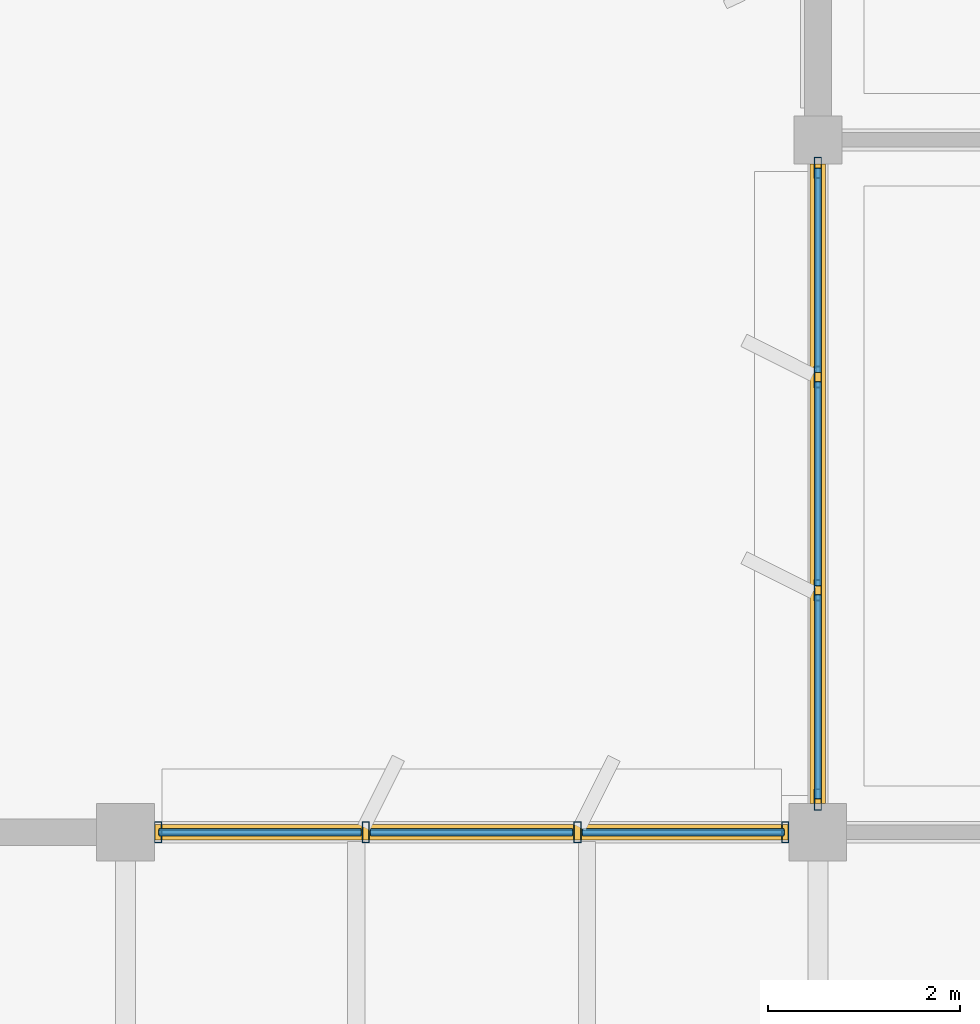
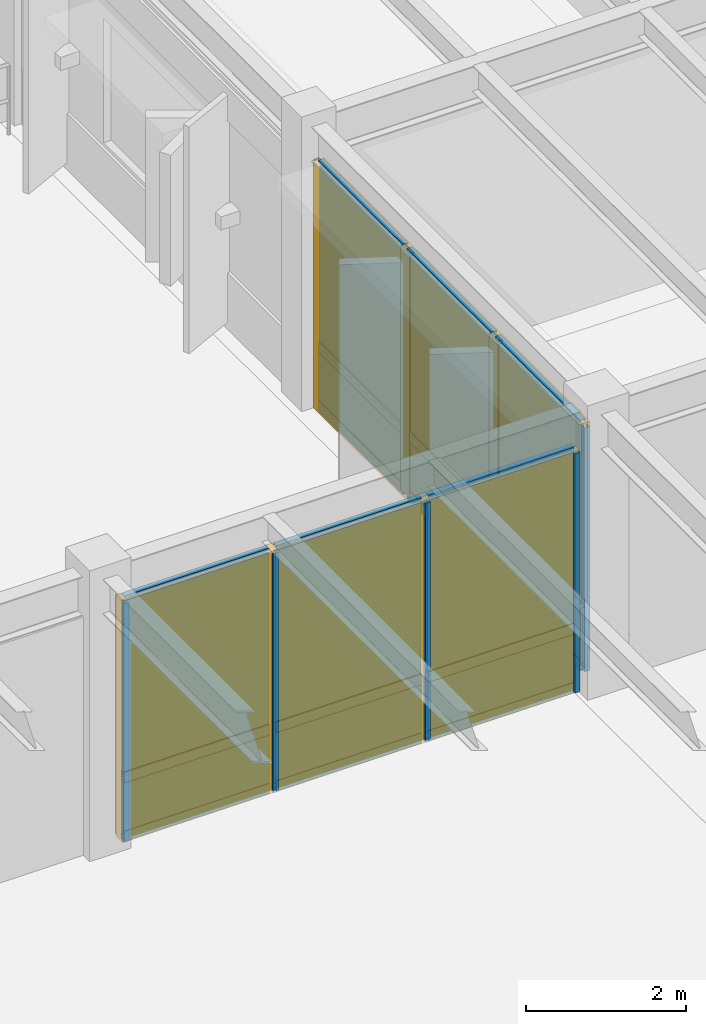
# One storey, part 56 of 92: 26 members, 12 plates, 2 curtain walls.
"""IFC4 building model written with IfcOpenShell, lengths in metres."""

from ifc_helpers import new_model, si_unit, direction, frame, origin, origin_2d, place, context, subcontext, project, spatial, rectangle, hollow_rectangle, extrude, material, layer, layer_set, material_profile, profile_set, type_object, element, aggregate, save


model = new_model("IFC4")

# Units and contexts
model_context = context("Model", 3, precision=1e-05, world=origin(), true_north=direction((0.0, 1.0)))
body_context = subcontext(model_context, "Body", "Model", "MODEL_VIEW")
ifc_project = project(units=[si_unit("LENGTHUNIT", "METRE"), si_unit("AREAUNIT", "SQUARE_METRE"), si_unit("VOLUMEUNIT", "CUBIC_METRE"), si_unit("PLANEANGLEUNIT", "RADIAN"), si_unit("MASSUNIT", "GRAM", prefix="KILO")], contexts=[model_context])

# Member
ifc_material_1 = material(Name="Anodized Aluminium 6063-T6", Category="aluminium")
ifc_material_profile_1 = material_profile(ifc_material_1, hollow_rectangle(XDim=0.074951171875, YDim=0.219970703125, WallThickness=0.0048828125, at=origin_2d()), Name="ALU 75x220x5")
ifc_profile_set_1 = profile_set([ifc_material_profile_1], Name="Anodized Aluminium 6063-T6")
member_type_1 = type_object("IfcMemberType", Name="CWM-75X180", PredefinedType="MULLION", material=ifc_profile_set_1)
site_placement = place(None, origin())
building_placement = place(site_placement, origin())
storey_placement = place(building_placement, frame((0.0, 0.0, 5.39990234375)))
member_1_placement = place(storey_placement, frame((29.139892578125, 93.60009765625, 0.02001953125), z_axis=(0.0, 0.0, 1.0), x_axis=(1.0, 0.0, 0.0)))
member_1 = element("IfcMember", 1, at=member_1_placement, type_object=member_type_1, Name="Curtain wall mullion CW-L02-04-12-N-00", PredefinedType="MULLION", context=body_context, shape_type="SweptSolid", body=[
    extrude(hollow_rectangle(XDim=0.074951171875, YDim=0.219970703125, WallThickness=0.0048828125, at=origin_2d()), origin(), (0.0, 0.0, 1.0), 3.657958984375),
])

member_2_placement = place(storey_placement, frame((31.300048828125, 93.60009765625, 0.02001953125), z_axis=(0.0, 0.0, 1.0), x_axis=(1.0, 0.0, 0.0)))
member_2 = element("IfcMember", 2, at=member_2_placement, type_object=member_type_1, Name="Curtain wall mullion CW-L02-04-12-N-01", PredefinedType="MULLION", context=body_context, shape_type="SweptSolid", body=[
    extrude(hollow_rectangle(XDim=0.074951171875, YDim=0.219970703125, WallThickness=0.0048828125, at=origin_2d()), origin(), (0.0, 0.0, 1.0), 3.657958984375),
])

member_3_placement = place(storey_placement, frame((33.5, 93.60009765625, 0.02001953125), z_axis=(0.0, 0.0, 1.0), x_axis=(1.0, 0.0, 0.0)))
member_3 = element("IfcMember", 3, at=member_3_placement, type_object=member_type_1, Name="Curtain wall mullion CW-L02-04-12-N-02", PredefinedType="MULLION", context=body_context, shape_type="SweptSolid", body=[
    extrude(hollow_rectangle(XDim=0.074951171875, YDim=0.219970703125, WallThickness=0.0048828125, at=origin_2d()), origin(), (0.0, 0.0, 1.0), 3.657958984375),
])

member_4_placement = place(storey_placement, frame((35.659912109375, 93.60009765625, 0.02001953125), z_axis=(0.0, 0.0, 1.0), x_axis=(1.0, 0.0, 0.0)))
member_4 = element("IfcMember", 4, at=member_4_placement, type_object=member_type_1, Name="Curtain wall mullion CW-L02-04-12-N-03", PredefinedType="MULLION", context=body_context, shape_type="SweptSolid", body=[
    extrude(hollow_rectangle(XDim=0.074951171875, YDim=0.219970703125, WallThickness=0.0048828125, at=origin_2d()), origin(), (0.0, 0.0, 1.0), 3.657958984375),
])

member_5_placement = place(storey_placement, frame((36.0, 93.93994140625, 0.02001953125), z_axis=(0.0, 0.0, 1.0), x_axis=(1.0, 0.0, 0.0)))
member_5 = element("IfcMember", 5, at=member_5_placement, type_object=member_type_1, Name="Curtain wall mullion CW-L02-05-13-W-00", PredefinedType="MULLION", context=body_context, shape_type="SweptSolid", body=[
    extrude(hollow_rectangle(XDim=0.074951171875, YDim=0.219970703125, WallThickness=0.0048828125, at=origin_2d()), origin(), (0.0, 0.0, 1.0), 3.72705078125),
])

member_6_placement = place(storey_placement, frame((36.0, 96.11669921875, 0.02001953125), z_axis=(0.0, 0.0, 1.0), x_axis=(1.0, 0.0, 0.0)))
member_6 = element("IfcMember", 6, at=member_6_placement, type_object=member_type_1, Name="Curtain wall mullion CW-L02-05-13-W-01", PredefinedType="MULLION", context=body_context, shape_type="SweptSolid", body=[
    extrude(hollow_rectangle(XDim=0.074951171875, YDim=0.219970703125, WallThickness=0.0048828125, at=origin_2d()), origin(), (0.0, 0.0, 1.0), 3.72705078125),
])

member_7_placement = place(storey_placement, frame((36.0, 98.333251953125, 0.02001953125), z_axis=(0.0, 0.0, 1.0), x_axis=(1.0, 0.0, 0.0)))
member_7 = element("IfcMember", 7, at=member_7_placement, type_object=member_type_1, Name="Curtain wall mullion CW-L02-05-13-W-02", PredefinedType="MULLION", context=body_context, shape_type="SweptSolid", body=[
    extrude(hollow_rectangle(XDim=0.074951171875, YDim=0.219970703125, WallThickness=0.0048828125, at=origin_2d()), origin(), (0.0, 0.0, 1.0), 3.72705078125),
])

member_8_placement = place(storey_placement, frame((36.0, 100.510009765625, 0.02001953125), z_axis=(0.0, 0.0, 1.0), x_axis=(1.0, 0.0, 0.0)))
member_8 = element("IfcMember", 8, at=member_8_placement, type_object=member_type_1, Name="Curtain wall mullion CW-L02-05-13-W-03", PredefinedType="MULLION", context=body_context, shape_type="SweptSolid", body=[
    extrude(hollow_rectangle(XDim=0.074951171875, YDim=0.219970703125, WallThickness=0.0048828125, at=origin_2d()), origin(), (0.0, 0.0, 1.0), 3.72705078125),
])

ifc_material_profile_2 = material_profile(ifc_material_1, hollow_rectangle(XDim=0.074951171875, YDim=0.159912109375, WallThickness=0.00390625, at=origin_2d()), Name="ALU 75x160x4")
ifc_profile_set_2 = profile_set([ifc_material_profile_2], Name="Anodized Aluminium 6063-T6")
member_type_2 = type_object("IfcMemberType", Name="CWT-75X150", PredefinedType="USERDEFINED", material=ifc_profile_set_2)
member_9_placement = place(storey_placement, frame((29.14990234375, 93.60009765625, 0.050048828125), z_axis=(1.0, 0.0, 0.0), x_axis=(0.0, 1.0, 0.0)))
member_9 = element("IfcMember", 9, at=member_9_placement, type_object=member_type_2, Name="Curtain wall transom CW-L02-04-12-N-1.01", ObjectType="TRANSOM", PredefinedType="USERDEFINED", context=body_context, shape_type="SweptSolid", body=[
    extrude(hollow_rectangle(XDim=0.074951171875, YDim=0.159912109375, WallThickness=0.00390625, at=origin_2d()), origin(), (0.0, 0.0, 1.0), 2.10009765625),
])

member_10_placement = place(storey_placement, frame((31.35009765625, 93.60009765625, 0.050048828125), z_axis=(1.0, 0.0, 0.0), x_axis=(0.0, 1.0, 0.0)))
member_10 = element("IfcMember", 10, at=member_10_placement, type_object=member_type_2, Name="Curtain wall transom CW-L02-04-12-N-1.02", ObjectType="TRANSOM", PredefinedType="USERDEFINED", context=body_context, shape_type="SweptSolid", body=[
    extrude(hollow_rectangle(XDim=0.074951171875, YDim=0.159912109375, WallThickness=0.00390625, at=origin_2d()), origin(), (0.0, 0.0, 1.0), 2.099853515625),
])

member_11_placement = place(storey_placement, frame((33.550048828125, 93.60009765625, 0.050048828125), z_axis=(1.0, 0.0, 0.0), x_axis=(0.0, 1.0, 0.0)))
member_11 = element("IfcMember", 11, at=member_11_placement, type_object=member_type_2, Name="Curtain wall transom CW-L02-04-12-N-1.03", ObjectType="TRANSOM", PredefinedType="USERDEFINED", context=body_context, shape_type="SweptSolid", body=[
    extrude(hollow_rectangle(XDim=0.074951171875, YDim=0.159912109375, WallThickness=0.00390625, at=origin_2d()), origin(), (0.0, 0.0, 1.0), 2.099853515625),
])

member_12_placement = place(storey_placement, frame((29.14990234375, 93.60009765625, 0.9501953125), z_axis=(1.0, 0.0, 0.0), x_axis=(0.0, 1.0, 0.0)))
member_12 = element("IfcMember", 12, at=member_12_placement, type_object=member_type_2, Name="Curtain wall transom CW-L02-04-12-N-2.01", ObjectType="TRANSOM", PredefinedType="USERDEFINED", context=body_context, shape_type="SweptSolid", body=[
    extrude(hollow_rectangle(XDim=0.074951171875, YDim=0.159912109375, WallThickness=0.00390625, at=origin_2d()), origin(), (0.0, 0.0, 1.0), 2.10009765625),
])

member_13_placement = place(storey_placement, frame((31.35009765625, 93.60009765625, 0.9501953125), z_axis=(1.0, 0.0, 0.0), x_axis=(0.0, 1.0, 0.0)))
member_13 = element("IfcMember", 13, at=member_13_placement, type_object=member_type_2, Name="Curtain wall transom CW-L02-04-12-N-2.02", ObjectType="TRANSOM", PredefinedType="USERDEFINED", context=body_context, shape_type="SweptSolid", body=[
    extrude(hollow_rectangle(XDim=0.074951171875, YDim=0.159912109375, WallThickness=0.00390625, at=origin_2d()), origin(), (0.0, 0.0, 1.0), 2.099853515625),
])

member_14_placement = place(storey_placement, frame((33.550048828125, 93.60009765625, 0.9501953125), z_axis=(1.0, 0.0, 0.0), x_axis=(0.0, 1.0, 0.0)))
member_14 = element("IfcMember", 14, at=member_14_placement, type_object=member_type_2, Name="Curtain wall transom CW-L02-04-12-N-2.03", ObjectType="TRANSOM", PredefinedType="USERDEFINED", context=body_context, shape_type="SweptSolid", body=[
    extrude(hollow_rectangle(XDim=0.074951171875, YDim=0.159912109375, WallThickness=0.00390625, at=origin_2d()), origin(), (0.0, 0.0, 1.0), 2.099853515625),
])

member_15_placement = place(storey_placement, frame((29.14990234375, 93.60009765625, 3.648193359375), z_axis=(1.0, 0.0, 0.0), x_axis=(0.0, 1.0, 0.0)))
member_15 = element("IfcMember", 15, at=member_15_placement, type_object=member_type_2, Name="Curtain wall transom CW-L02-04-12-N-3.01", ObjectType="TRANSOM", PredefinedType="USERDEFINED", context=body_context, shape_type="SweptSolid", body=[
    extrude(hollow_rectangle(XDim=0.074951171875, YDim=0.159912109375, WallThickness=0.00390625, at=origin_2d()), origin(), (0.0, 0.0, 1.0), 2.10009765625),
])

member_16_placement = place(storey_placement, frame((31.35009765625, 93.60009765625, 3.648193359375), z_axis=(1.0, 0.0, 0.0), x_axis=(0.0, 1.0, 0.0)))
member_16 = element("IfcMember", 16, at=member_16_placement, type_object=member_type_2, Name="Curtain wall transom CW-L02-04-12-N-3.02", ObjectType="TRANSOM", PredefinedType="USERDEFINED", context=body_context, shape_type="SweptSolid", body=[
    extrude(hollow_rectangle(XDim=0.074951171875, YDim=0.159912109375, WallThickness=0.00390625, at=origin_2d()), origin(), (0.0, 0.0, 1.0), 2.099853515625),
])

member_17_placement = place(storey_placement, frame((33.550048828125, 93.60009765625, 3.648193359375), z_axis=(1.0, 0.0, 0.0), x_axis=(0.0, 1.0, 0.0)))
member_17 = element("IfcMember", 17, at=member_17_placement, type_object=member_type_2, Name="Curtain wall transom CW-L02-04-12-N-3.03", ObjectType="TRANSOM", PredefinedType="USERDEFINED", context=body_context, shape_type="SweptSolid", body=[
    extrude(hollow_rectangle(XDim=0.074951171875, YDim=0.159912109375, WallThickness=0.00390625, at=origin_2d()), origin(), (0.0, 0.0, 1.0), 2.099853515625),
])

member_18_placement = place(storey_placement, frame((36.0, 93.949951171875, 0.050048828125), z_axis=(0.0, 1.0, 0.0), x_axis=(-1.0, 0.0, 0.0)))
member_18 = element("IfcMember", 18, at=member_18_placement, type_object=member_type_2, Name="Curtain wall transom CW-L02-05-13-W-1.01", ObjectType="TRANSOM", PredefinedType="USERDEFINED", context=body_context, shape_type="SweptSolid", body=[
    extrude(hollow_rectangle(XDim=0.074951171875, YDim=0.159912109375, WallThickness=0.00390625, at=origin_2d()), origin(), (0.0, 0.0, 1.0), 2.11669921875),
])

member_19_placement = place(storey_placement, frame((36.0, 96.166748046875, 0.050048828125), z_axis=(0.0, 1.0, 0.0), x_axis=(-1.0, 0.0, 0.0)))
member_19 = element("IfcMember", 19, at=member_19_placement, type_object=member_type_2, Name="Curtain wall transom CW-L02-05-13-W-1.02", ObjectType="TRANSOM", PredefinedType="USERDEFINED", context=body_context, shape_type="SweptSolid", body=[
    extrude(hollow_rectangle(XDim=0.074951171875, YDim=0.159912109375, WallThickness=0.00390625, at=origin_2d()), origin(), (0.0, 0.0, 1.0), 2.116455078125),
])

member_20_placement = place(storey_placement, frame((36.0, 98.38330078125, 0.050048828125), z_axis=(0.0, 1.0, 0.0), x_axis=(-1.0, 0.0, 0.0)))
member_20 = element("IfcMember", 20, at=member_20_placement, type_object=member_type_2, Name="Curtain wall transom CW-L02-05-13-W-1.03", ObjectType="TRANSOM", PredefinedType="USERDEFINED", context=body_context, shape_type="SweptSolid", body=[
    extrude(hollow_rectangle(XDim=0.074951171875, YDim=0.159912109375, WallThickness=0.00390625, at=origin_2d()), origin(), (0.0, 0.0, 1.0), 2.11669921875),
])

member_21_placement = place(storey_placement, frame((36.0, 93.949951171875, 0.9501953125), z_axis=(0.0, 1.0, 0.0), x_axis=(-1.0, 0.0, 0.0)))
member_21 = element("IfcMember", 21, at=member_21_placement, type_object=member_type_2, Name="Curtain wall transom CW-L02-05-13-W-2.01", ObjectType="TRANSOM", PredefinedType="USERDEFINED", context=body_context, shape_type="SweptSolid", body=[
    extrude(hollow_rectangle(XDim=0.074951171875, YDim=0.159912109375, WallThickness=0.00390625, at=origin_2d()), origin(), (0.0, 0.0, 1.0), 2.11669921875),
])

member_22_placement = place(storey_placement, frame((36.0, 96.166748046875, 0.9501953125), z_axis=(0.0, 1.0, 0.0), x_axis=(-1.0, 0.0, 0.0)))
member_22 = element("IfcMember", 22, at=member_22_placement, type_object=member_type_2, Name="Curtain wall transom CW-L02-05-13-W-2.02", ObjectType="TRANSOM", PredefinedType="USERDEFINED", context=body_context, shape_type="SweptSolid", body=[
    extrude(hollow_rectangle(XDim=0.074951171875, YDim=0.159912109375, WallThickness=0.00390625, at=origin_2d()), origin(), (0.0, 0.0, 1.0), 2.116455078125),
])

member_23_placement = place(storey_placement, frame((36.0, 98.38330078125, 0.9501953125), z_axis=(0.0, 1.0, 0.0), x_axis=(-1.0, 0.0, 0.0)))
member_23 = element("IfcMember", 23, at=member_23_placement, type_object=member_type_2, Name="Curtain wall transom CW-L02-05-13-W-2.03", ObjectType="TRANSOM", PredefinedType="USERDEFINED", context=body_context, shape_type="SweptSolid", body=[
    extrude(hollow_rectangle(XDim=0.074951171875, YDim=0.159912109375, WallThickness=0.00390625, at=origin_2d()), origin(), (0.0, 0.0, 1.0), 2.11669921875),
])

member_24_placement = place(storey_placement, frame((36.0, 93.949951171875, 3.717041015625), z_axis=(0.0, 1.0, 0.0), x_axis=(-1.0, 0.0, 0.0)))
member_24 = element("IfcMember", 24, at=member_24_placement, type_object=member_type_2, Name="Curtain wall transom CW-L02-05-13-W-3.01", ObjectType="TRANSOM", PredefinedType="USERDEFINED", context=body_context, shape_type="SweptSolid", body=[
    extrude(hollow_rectangle(XDim=0.074951171875, YDim=0.159912109375, WallThickness=0.00390625, at=origin_2d()), origin(), (0.0, 0.0, 1.0), 2.11669921875),
])

member_25_placement = place(storey_placement, frame((36.0, 96.166748046875, 3.717041015625), z_axis=(0.0, 1.0, 0.0), x_axis=(-1.0, 0.0, 0.0)))
member_25 = element("IfcMember", 25, at=member_25_placement, type_object=member_type_2, Name="Curtain wall transom CW-L02-05-13-W-3.02", ObjectType="TRANSOM", PredefinedType="USERDEFINED", context=body_context, shape_type="SweptSolid", body=[
    extrude(hollow_rectangle(XDim=0.074951171875, YDim=0.159912109375, WallThickness=0.00390625, at=origin_2d()), origin(), (0.0, 0.0, 1.0), 2.116455078125),
])

member_26_placement = place(storey_placement, frame((36.0, 98.38330078125, 3.717041015625), z_axis=(0.0, 1.0, 0.0), x_axis=(-1.0, 0.0, 0.0)))
member_26 = element("IfcMember", 26, at=member_26_placement, type_object=member_type_2, Name="Curtain wall transom CW-L02-05-13-W-3.03", ObjectType="TRANSOM", PredefinedType="USERDEFINED", context=body_context, shape_type="SweptSolid", body=[
    extrude(hollow_rectangle(XDim=0.074951171875, YDim=0.159912109375, WallThickness=0.00390625, at=origin_2d()), origin(), (0.0, 0.0, 1.0), 2.11669921875),
])

# Plate
ifc_material_2 = material(Name="Acoustic Laminated Low-E Glazing", Category="glass")
ifc_layer_1 = layer(ifc_material_2, 0.0439453125)
ifc_layer_set_1 = layer_set([ifc_layer_1], Name="Acoustic Laminated Low-E Glazing")
plate_type_1 = type_object("IfcPlateType", Name="CWP-IGU-44", PredefinedType="CURTAIN_PANEL", material=ifc_layer_set_1)
plate_1_placement = place(storey_placement, frame((30.199951171875, 93.60009765625, 0.990234375), z_axis=(0.0, 0.0, 1.0), x_axis=(1.0, 0.0, 0.0)))
plate_1 = element("IfcPlate", 27, at=plate_1_placement, type_object=plate_type_1, Name="Curtain wall vision glazing CW-L02-04-12-N-01", PredefinedType="CURTAIN_PANEL", context=body_context, shape_type="SweptSolid", body=[
    extrude(rectangle(XDim=2.110107421875, YDim=0.0400390625, at=origin_2d()), origin(), (0.0, 0.0, 1.0), 2.64794921875),
])

plate_2_placement = place(storey_placement, frame((32.39990234375, 93.60009765625, 0.990234375), z_axis=(0.0, 0.0, 1.0), x_axis=(1.0, 0.0, 0.0)))
plate_2 = element("IfcPlate", 28, at=plate_2_placement, type_object=plate_type_1, Name="Curtain wall vision glazing CW-L02-04-12-N-02", PredefinedType="CURTAIN_PANEL", context=body_context, shape_type="SweptSolid", body=[
    extrude(rectangle(XDim=2.110107421875, YDim=0.0400390625, at=origin_2d()), origin(), (0.0, 0.0, 1.0), 2.64794921875),
])

plate_3_placement = place(storey_placement, frame((34.60009765625, 93.60009765625, 0.990234375), z_axis=(0.0, 0.0, 1.0), x_axis=(1.0, 0.0, 0.0)))
plate_3 = element("IfcPlate", 29, at=plate_3_placement, type_object=plate_type_1, Name="Curtain wall vision glazing CW-L02-04-12-N-03", PredefinedType="CURTAIN_PANEL", context=body_context, shape_type="SweptSolid", body=[
    extrude(rectangle(XDim=2.110107421875, YDim=0.0400390625, at=origin_2d()), origin(), (0.0, 0.0, 1.0), 2.64794921875),
])

plate_4_placement = place(storey_placement, frame((36.0, 95.00830078125, 0.990234375), z_axis=(0.0, 0.0, 1.0), x_axis=(0.0, 1.0, 0.0)))
plate_4 = element("IfcPlate", 30, at=plate_4_placement, type_object=plate_type_1, Name="Curtain wall vision glazing CW-L02-05-13-W-01", PredefinedType="CURTAIN_PANEL", context=body_context, shape_type="SweptSolid", body=[
    extrude(rectangle(XDim=2.126708984375, YDim=0.0400390625, at=origin_2d()), origin(), (0.0, 0.0, 1.0), 2.717041015625),
])

plate_5_placement = place(storey_placement, frame((36.0, 97.22509765625, 0.990234375), z_axis=(0.0, 0.0, 1.0), x_axis=(0.0, 1.0, 0.0)))
plate_5 = element("IfcPlate", 31, at=plate_5_placement, type_object=plate_type_1, Name="Curtain wall vision glazing CW-L02-05-13-W-02", PredefinedType="CURTAIN_PANEL", context=body_context, shape_type="SweptSolid", body=[
    extrude(rectangle(XDim=2.126708984375, YDim=0.0400390625, at=origin_2d()), origin(), (0.0, 0.0, 1.0), 2.717041015625),
])

plate_6_placement = place(storey_placement, frame((36.0, 99.441650390625, 0.990234375), z_axis=(0.0, 0.0, 1.0), x_axis=(0.0, 1.0, 0.0)))
plate_6 = element("IfcPlate", 32, at=plate_6_placement, type_object=plate_type_1, Name="Curtain wall vision glazing CW-L02-05-13-W-03", PredefinedType="CURTAIN_PANEL", context=body_context, shape_type="SweptSolid", body=[
    extrude(rectangle(XDim=2.126708984375, YDim=0.0400390625, at=origin_2d()), origin(), (0.0, 0.0, 1.0), 2.717041015625),
])

ifc_material_3 = material(Name="Insulated Stone-Composite Spandrel", Category="masonry")
ifc_layer_2 = layer(ifc_material_3, 0.068115234375)
ifc_layer_set_2 = layer_set([ifc_layer_2], Name="Insulated Stone-Composite Spandrel")
plate_type_2 = type_object("IfcPlateType", Name="CWP-SPN-68", PredefinedType="CURTAIN_PANEL", material=ifc_layer_set_2)
plate_7_placement = place(storey_placement, frame((30.199951171875, 93.60009765625, 0.080078125), z_axis=(0.0, 0.0, 1.0), x_axis=(1.0, 0.0, 0.0)))
plate_7 = element("IfcPlate", 33, at=plate_7_placement, type_object=plate_type_2, Name="Curtain wall spandrel panel CW-L02-04-12-N-01", PredefinedType="CURTAIN_PANEL", context=body_context, shape_type="SweptSolid", body=[
    extrude(rectangle(XDim=2.110107421875, YDim=0.06005859375, at=origin_2d()), origin(), (0.0, 0.0, 1.0), 0.840087890625),
])

plate_8_placement = place(storey_placement, frame((32.39990234375, 93.60009765625, 0.080078125), z_axis=(0.0, 0.0, 1.0), x_axis=(1.0, 0.0, 0.0)))
plate_8 = element("IfcPlate", 34, at=plate_8_placement, type_object=plate_type_2, Name="Curtain wall spandrel panel CW-L02-04-12-N-02", PredefinedType="CURTAIN_PANEL", context=body_context, shape_type="SweptSolid", body=[
    extrude(rectangle(XDim=2.110107421875, YDim=0.06005859375, at=origin_2d()), origin(), (0.0, 0.0, 1.0), 0.840087890625),
])

plate_9_placement = place(storey_placement, frame((34.60009765625, 93.60009765625, 0.080078125), z_axis=(0.0, 0.0, 1.0), x_axis=(1.0, 0.0, 0.0)))
plate_9 = element("IfcPlate", 35, at=plate_9_placement, type_object=plate_type_2, Name="Curtain wall spandrel panel CW-L02-04-12-N-03", PredefinedType="CURTAIN_PANEL", context=body_context, shape_type="SweptSolid", body=[
    extrude(rectangle(XDim=2.110107421875, YDim=0.06005859375, at=origin_2d()), origin(), (0.0, 0.0, 1.0), 0.840087890625),
])

plate_10_placement = place(storey_placement, frame((36.0, 95.00830078125, 0.080078125), z_axis=(0.0, 0.0, 1.0), x_axis=(0.0, 1.0, 0.0)))
plate_10 = element("IfcPlate", 36, at=plate_10_placement, type_object=plate_type_2, Name="Curtain wall spandrel panel CW-L02-05-13-W-01", PredefinedType="CURTAIN_PANEL", context=body_context, shape_type="SweptSolid", body=[
    extrude(rectangle(XDim=2.126708984375, YDim=0.06005859375, at=origin_2d()), origin(), (0.0, 0.0, 1.0), 0.840087890625),
])

plate_11_placement = place(storey_placement, frame((36.0, 97.22509765625, 0.080078125), z_axis=(0.0, 0.0, 1.0), x_axis=(0.0, 1.0, 0.0)))
plate_11 = element("IfcPlate", 37, at=plate_11_placement, type_object=plate_type_2, Name="Curtain wall spandrel panel CW-L02-05-13-W-02", PredefinedType="CURTAIN_PANEL", context=body_context, shape_type="SweptSolid", body=[
    extrude(rectangle(XDim=2.126708984375, YDim=0.06005859375, at=origin_2d()), origin(), (0.0, 0.0, 1.0), 0.840087890625),
])

plate_12_placement = place(storey_placement, frame((36.0, 99.441650390625, 0.080078125), z_axis=(0.0, 0.0, 1.0), x_axis=(0.0, 1.0, 0.0)))
plate_12 = element("IfcPlate", 38, at=plate_12_placement, type_object=plate_type_2, Name="Curtain wall spandrel panel CW-L02-05-13-W-03", PredefinedType="CURTAIN_PANEL", context=body_context, shape_type="SweptSolid", body=[
    extrude(rectangle(XDim=2.126708984375, YDim=0.06005859375, at=origin_2d()), origin(), (0.0, 0.0, 1.0), 0.840087890625),
])

# Site, building, storey
site = spatial("IfcSite", under=ifc_project, at=site_placement, CompositionType="ELEMENT")
building = spatial("IfcBuilding", under=site, at=building_placement, Name="Sillqori Civic Hall", CompositionType="ELEMENT")
storey = spatial("IfcBuildingStorey", under=building, at=storey_placement, Name="L02", CompositionType="ELEMENT", Elevation=5.39990234375)

# Curtain wall
ifc_material_4 = material(Name="Anodized Aluminium Curtain Wall System", Category="aluminium")
curtain_wall_type = type_object("IfcCurtainWallType", Name="CW-GL-430", PredefinedType="NOTDEFINED", material=ifc_material_4)
curtain_wall_1_placement = place(storey_placement, frame((32.39990234375, 93.60009765625, 0.0), z_axis=(0.0, 0.0, 1.0), x_axis=(1.0, 0.0, 0.0)))
curtain_wall_1 = element("IfcCurtainWall", 39, at=curtain_wall_1_placement, inside=storey, type_object=curtain_wall_type, Name="L02 unitised curtain wall CW-L02-04-12-N", PredefinedType="NOTDEFINED", context=body_context, shape_type="SweptSolid", body=[
    extrude(rectangle(XDim=6.60009765625, YDim=0.159912109375, at=origin_2d()), origin(), (0.0, 0.0, 1.0), 3.697998046875),
])

aggregate(curtain_wall_1, [member_1, member_2, member_3, member_4, member_9, member_10, member_11, member_12, member_13, member_14, member_15, member_16, member_17, plate_7, plate_1, plate_8, plate_2, plate_9, plate_3])

curtain_wall_2_placement = place(storey_placement, frame((36.0, 97.22509765625, 0.0), z_axis=(0.0, 0.0, 1.0), x_axis=(0.0, 1.0, 0.0)))
curtain_wall_2 = element("IfcCurtainWall", 40, at=curtain_wall_2_placement, inside=storey, type_object=curtain_wall_type, Name="L02 unitised curtain wall CW-L02-05-13-W", PredefinedType="NOTDEFINED", context=body_context, shape_type="SweptSolid", body=[
    extrude(rectangle(XDim=6.64990234375, YDim=0.159912109375, at=origin_2d()), origin(), (0.0, 0.0, 1.0), 3.76708984375),
])

aggregate(curtain_wall_2, [member_5, member_6, member_7, member_8, member_18, member_19, member_20, member_21, member_22, member_23, member_24, member_25, member_26, plate_10, plate_4, plate_11, plate_5, plate_12, plate_6])

save(model, "model.ifc")
